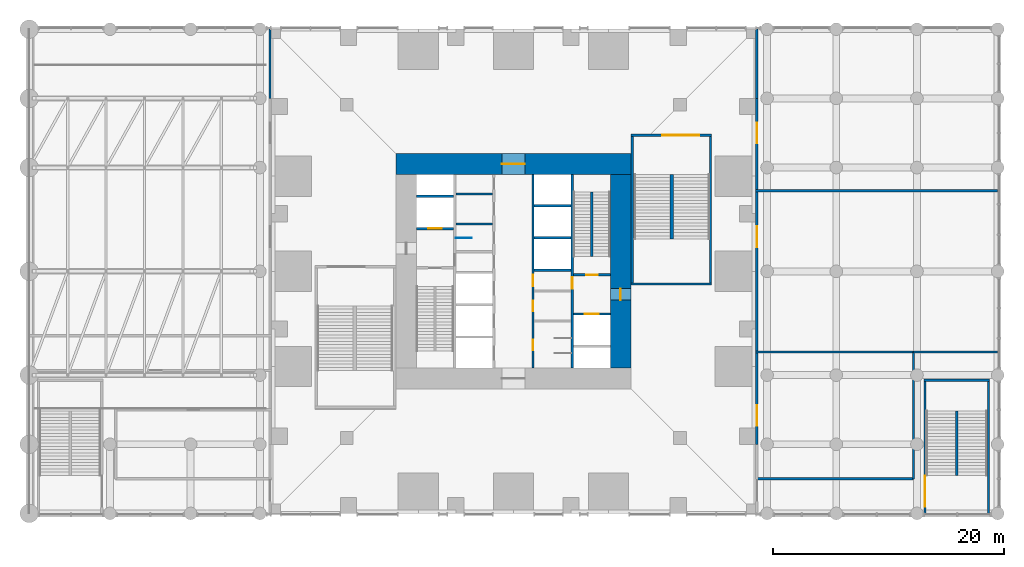
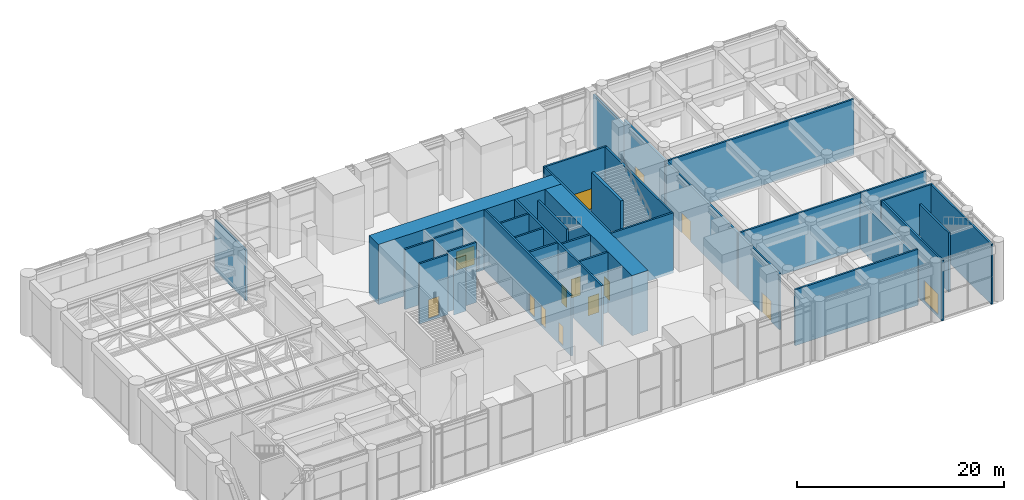
# One storey, part 23 of 30: 32 walls, 14 doors, 14 openings.
"""IFC4 building model written with IfcOpenShell, lengths in metres."""

import ifcopenshell
import ifcopenshell.guid

model = None  # the IFC model being written
_history = None  # IfcOwnerHistory: only IFC2X3 demands one
_inside = {}  # id of a spatial element -> (the spatial element, [elements in it])
_under = {}  # id of a project, library or spatial element -> (it, [spatial elements below it])
_declared = {}  # id of a project -> (the project, [libraries it declares])
_typed = {}  # id of a type object -> (the type object, [elements of that type])
_made_of = {}  # id of a material, layer set ... -> (it, [elements and type objects made of it])


def new_model(schema):
    """Start an empty IFC model of exactly this schema.

    Asked for "IFC4X3", IfcOpenShell would pick the latest addendum, in which some entities
    have other attributes; the version numbers below select the first issue.
    IFC2X3 requires an IfcOwnerHistory on every rooted entity: one is made here for all.
    """
    global model, _history
    if schema == "IFC4X3":
        model = ifcopenshell.file(schema_version=(4, 3, 0, 0))
    else:
        model = ifcopenshell.file(schema=schema)
    _inside.clear()
    _under.clear()
    _declared.clear()
    _typed.clear()
    _made_of.clear()
    _history = None
    if model.schema == "IFC2X3":
        org = make("IfcOrganization", Name="unknown")
        user = make(
            "IfcPersonAndOrganization",
            ThePerson=make("IfcPerson", FamilyName="unknown"),
            TheOrganization=org,
        )
        app = make(
            "IfcApplication",
            ApplicationDeveloper=org,
            Version="unknown",
            ApplicationFullName="unknown",
            ApplicationIdentifier="unknown",
        )
        _history = make(
            "IfcOwnerHistory",
            OwningUser=user,
            OwningApplication=app,
            ChangeAction="ADDED",
            CreationDate=0,
        )
    return model


def make(cls, **values):
    """One entity of the class cls with the attributes given. An attribute that is None is left unset."""
    return model.create_entity(
        cls, **{name: value for name, value in values.items() if value is not None}
    )


def rooted(cls, **values):
    """An entity with a GlobalId (a new one), such as an element, a storey or a relation."""
    return make(cls, GlobalId=ifcopenshell.guid.new(), OwnerHistory=_history, **values)


def si_unit(unit_type, name, prefix=None):
    """IfcSIUnit, for example si_unit("LENGTHUNIT", "METRE", prefix="MILLI")."""
    return make("IfcSIUnit", UnitType=unit_type, Prefix=prefix, Name=name)


def assignment(units):
    """IfcUnitAssignment: the units of a project."""
    return None if units is None else make("IfcUnitAssignment", Units=units)


def point(xyz):
    """IfcCartesianPoint."""
    return None if xyz is None else make("IfcCartesianPoint", Coordinates=xyz)


def direction(xyz):
    """IfcDirection."""
    return None if xyz is None else make("IfcDirection", DirectionRatios=xyz)


def frame(location, z_axis=None, x_axis=None):
    """IfcAxis2Placement3D, a coordinate frame: its origin and axes. An axis left out is left unset."""
    return make(
        "IfcAxis2Placement3D",
        Location=point(location),
        Axis=direction(z_axis),
        RefDirection=direction(x_axis),
    )


def frame_2d(location, x_axis=None):
    """IfcAxis2Placement2D, a coordinate frame in the plane: its origin and x axis."""
    return make(
        "IfcAxis2Placement2D", Location=point(location), RefDirection=direction(x_axis)
    )


def origin():
    """The frame at (0, 0, 0) with its axes left unset."""
    return frame((0.0, 0.0, 0.0))


def place(relative_to, where):
    """IfcLocalPlacement: puts the frame where relative to a parent placement (None: the world)."""
    return make(
        "IfcLocalPlacement", PlacementRelTo=relative_to, RelativePlacement=where
    )


def context(
    kind, dimensions, precision=None, world=None, true_north=None, identifier=None
):
    """IfcGeometricRepresentationContext, for example the 3D "Model" context."""
    return make(
        "IfcGeometricRepresentationContext",
        ContextIdentifier=identifier,
        ContextType=kind,
        CoordinateSpaceDimension=dimensions,
        Precision=precision,
        WorldCoordinateSystem=world,
        TrueNorth=true_north,
    )


def subcontext(parent, identifier, kind, view, scale=None):
    """IfcGeometricRepresentationSubContext, for example "Body" below "Model"."""
    return make(
        "IfcGeometricRepresentationSubContext",
        ContextIdentifier=identifier,
        ContextType=kind,
        ParentContext=parent,
        TargetScale=scale,
        TargetView=view,
    )


def project(units=None, contexts=None):
    """IfcProject with its units and contexts."""
    return rooted(
        "IfcProject",
        Name="project",
        RepresentationContexts=contexts,
        UnitsInContext=assignment(units),
    )


def spatial(cls, under=None, at=None, **own):
    """A site, building, storey or space (cls), placed at a placement, below another one or the project."""
    s = rooted(cls, ObjectPlacement=at, **own)
    if under is not None:
        _under.setdefault(under.id(), (under, []))[1].append(s)
    return s


def profile(cls, at=None, kind="AREA", **sizes):
    """A parametric profile (cls). Its sizes go by their IFC names, for example OverallWidth=200.0."""
    return make(cls, ProfileType=kind, Position=at, **sizes)


def rectangle(**sizes):
    """IfcRectangleProfileDef."""
    return profile("IfcRectangleProfileDef", **sizes)


def extrude(swept, where, along, depth):
    """IfcExtrudedAreaSolid: the profile swept, set in the frame where, extruded along a direction by depth."""
    return make(
        "IfcExtrudedAreaSolid",
        SweptArea=swept,
        Position=where,
        ExtrudedDirection=direction(along),
        Depth=depth,
    )


def shape(context_of_items, identifier, shape_type, items):
    """IfcShapeRepresentation: the items that make up one representation, for example the "Body"."""
    return make(
        "IfcShapeRepresentation",
        ContextOfItems=context_of_items,
        RepresentationIdentifier=identifier,
        RepresentationType=shape_type,
        Items=items,
    )


def material(Name=None, Category=None):
    """IfcMaterial."""
    return make("IfcMaterial", Name=Name, Category=Category)


def layer(
    of_material, thickness, ventilated=None, Name=None, Category=None, Priority=None
):
    """IfcMaterialLayer: one layer of a wall or slab, of a material (None: an air gap)."""
    return make(
        "IfcMaterialLayer",
        Material=of_material,
        LayerThickness=thickness,
        IsVentilated=ventilated,
        Name=Name,
        Category=Category,
        Priority=Priority,
    )


def layer_set(layers, Name=None):
    """IfcMaterialLayerSet."""
    return make("IfcMaterialLayerSet", MaterialLayers=layers, LayerSetName=Name)


def made_of(thing, what):
    """Note that an element or type object is made of a material, layer set ...; save() writes the relation."""
    if what is not None:
        _made_of.setdefault(what.id(), (what, []))[1].append(thing)
    return thing


def type_object(cls, material=None, **own):
    """A type object (cls), such as IfcWallType, which elements share."""
    return made_of(rooted(cls, **own), material)


def element(
    cls,
    number,
    at=None,
    inside=None,
    cuts=None,
    type_object=None,
    material=None,
    context=None,
    identifier="Body",
    shape_type=None,
    held_by="IfcProductDefinitionShape",
    body=None,
    shapes=None,
    **own,
):
    """One element of the class cls, such as IfcWall. Its Tag is "e" and its number.

    at: its placement. inside: the storey or other place that contains it. cuts: it is an
    opening in that element (IfcRelVoidsElement). A single representation is given by context,
    identifier, shape_type and body (its items); several are given by shapes. held_by: the class
    of the entity that holds the representations. save() writes the other relations.
    """
    e = rooted(cls, Tag="e%d" % number, ObjectPlacement=at, **own)
    if body is not None:
        shapes = [shape(context, identifier, shape_type, body)]
    if shapes is not None:
        e.Representation = make(held_by, Representations=shapes)
    if inside is not None:
        _inside.setdefault(inside.id(), (inside, []))[1].append(e)
    if cuts is not None:
        rooted(
            "IfcRelVoidsElement", RelatingBuildingElement=cuts, RelatedOpeningElement=e
        )
    if type_object is not None:
        _typed.setdefault(type_object.id(), (type_object, []))[1].append(e)
    return made_of(e, material)


def fill(opening, filler):
    """IfcRelFillsElement: the door or window that sits in an opening."""
    return rooted(
        "IfcRelFillsElement",
        RelatingOpeningElement=opening,
        RelatedBuildingElement=filler,
    )


def aggregate(whole, parts):
    """IfcRelAggregates: a whole, such as a stair, and the parts it consists of."""
    return rooted("IfcRelAggregates", RelatingObject=whole, RelatedObjects=parts)


def save(model, path):
    """Write the relations noted so far, then the file.

    IfcRelAggregates (storeys below a building ...), IfcRelContainedInSpatialStructure (elements
    in a storey), IfcRelDefinesByType, IfcRelAssociatesMaterial and IfcRelDeclares: one each for
    every whole, place, type object, material and project.
    """
    for whole, parts in _under.values():
        aggregate(whole, parts)
    for where, things in _inside.values():
        rooted(
            "IfcRelContainedInSpatialStructure",
            RelatedElements=things,
            RelatingStructure=where,
        )
    for kind, things in _typed.values():
        rooted("IfcRelDefinesByType", RelatedObjects=things, RelatingType=kind)
    for what, things in _made_of.values():
        rooted("IfcRelAssociatesMaterial", RelatedObjects=things, RelatingMaterial=what)
    for by, libraries in _declared.values():
        rooted("IfcRelDeclares", RelatingContext=by, RelatedDefinitions=libraries)
    model.write(path)


model = new_model("IFC4")

# Units and contexts
model_context = context("Model", 3, precision=1e-05, world=origin(), true_north=direction((0.0, 1.0)))
body_context = subcontext(model_context, "Body", "Model", "MODEL_VIEW")
ifc_project = project(units=[si_unit("LENGTHUNIT", "METRE"), si_unit("AREAUNIT", "SQUARE_METRE"), si_unit("VOLUMEUNIT", "CUBIC_METRE"), si_unit("PLANEANGLEUNIT", "RADIAN"), si_unit("MASSUNIT", "GRAM", prefix="KILO")], contexts=[model_context])

# Site, building, storey
site_placement = place(None, origin())
site = spatial("IfcSite", under=ifc_project, at=site_placement, CompositionType="ELEMENT")
building_placement = place(site_placement, origin())
building = spatial("IfcBuilding", under=site, at=building_placement, Name="Svetlomir Tower", CompositionType="ELEMENT")
storey_placement = place(building_placement, frame((0.0, 0.0, 11.0)))
storey = spatial("IfcBuildingStorey", under=building, at=storey_placement, Name="L02", CompositionType="ELEMENT", Elevation=11.0)

# Walls
ifc_material_1 = material(Name="Gypsum board on twin steel studs", Category="steel")
ifc_layer_1 = layer(ifc_material_1, 0.199951171875)
ifc_layer_set_1 = layer_set([ifc_layer_1], Name="Gypsum board on twin steel studs")
wall_type_1 = type_object("IfcWallType", Name="ACOUSTIC PARTITION 200", PredefinedType="PARTITIONING", material=ifc_layer_set_1)
for number, where, z_axis, x_axis, name in (
    (1, (42.0, 3.0, 0.0), (0.0, 0.0, 1.0), (1.0, 0.0, 0.0), "Partition L02"),
    (2, (42.0, 14.0, 0.0), (0.0, 0.0, 1.0), (1.0, 0.0, 0.0), "Partition L02"),
):
    element("IfcWall", number, at=place(storey_placement, frame(where, z_axis=z_axis, x_axis=x_axis)), inside=storey, type_object=wall_type_1, Name=name, PredefinedType="PARTITIONING", context=body_context, shape_type="SweptSolid", body=[
        extrude(rectangle(XDim=13.699951171875, YDim=0.199951171875, at=frame_2d((6.85009765625, 0.0))), origin(), (0.0, 0.0, 1.0), 6.60009765625),
    ])
wall_1_placement = place(storey_placement, frame((42.0, 28.0, 0.0), z_axis=(0.0, 0.0, 1.0), x_axis=(1.0, 0.0, 0.0)))
element("IfcWall", 3, at=wall_1_placement, inside=storey, type_object=wall_type_1, Name="Partition L02", PredefinedType="PARTITIONING", context=body_context, shape_type="SweptSolid", body=[
    extrude(rectangle(XDim=21.0, YDim=0.199951171875, at=frame_2d((10.5, 0.0))), origin(), (0.0, 0.0, 1.0), 6.60009765625),
])
wall_2_placement = place(storey_placement, frame((55.699951171875, 3.0, 0.0), z_axis=(0.0, 0.0, 1.0), x_axis=(0.0, 1.0, 0.0)))
element("IfcWall", 4, at=wall_2_placement, inside=storey, type_object=wall_type_1, Name="Partition L02", PredefinedType="PARTITIONING", context=body_context, shape_type="SweptSolid", body=[
    extrude(rectangle(XDim=11.0, YDim=0.199951171875, at=frame_2d((5.5, 0.0))), origin(), (0.0, 0.0, 1.0), 5.60009765625),
])
wall_3_placement = place(storey_placement, frame((55.699951171875, 14.0, 0.0), z_axis=(0.0, 0.0, 1.0), x_axis=(1.0, 0.0, 0.0)))
element("IfcWall", 5, at=wall_3_placement, inside=storey, type_object=wall_type_1, Name="Partition L02", PredefinedType="PARTITIONING", context=body_context, shape_type="SweptSolid", body=[
    extrude(rectangle(XDim=7.300048828125, YDim=0.199951171875, at=frame_2d((3.64990234375, 0.0))), origin(), (0.0, 0.0, 1.0), 6.60009765625),
])

# Wall, openings, doors
ifc_material_2 = material(Name="Concrete C60/75", Category="concrete")
ifc_layer_2 = layer(ifc_material_2, 0.199951171875)
ifc_layer_set_2 = layer_set([ifc_layer_2], Name="Concrete C60/75")
wall_type_2 = type_object("IfcWallType", Name="CORE INNER WALL 200", PredefinedType="SHEAR", material=ifc_layer_set_2)
wall_4_placement = place(storey_placement, frame((22.699951171875, 12.60009765625, -0.300048828125), z_axis=(0.0, 0.0, 1.0), x_axis=(0.0, 1.0, 0.0)))
wall_4 = element("IfcWall", 6, at=wall_4_placement, inside=storey, type_object=wall_type_2, Name="Core inner wall 22.7 L02", PredefinedType="SHEAR", context=body_context, shape_type="SweptSolid", body=[
    extrude(rectangle(XDim=16.7998046875, YDim=0.199951171875, at=frame_2d((8.39990234375, 0.0))), origin(), (0.0, 0.0, 1.0), 7.10009765625),
])
opening_1_placement = place(wall_4_placement, frame((7.10009765625, 0.0, 0.300048828125)))
opening_1 = element("IfcOpeningElement", 7, at=opening_1_placement, cuts=wall_4, Name="Opening DC", PredefinedType="OPENING", context=body_context, shape_type="SweptSolid", body=[
    extrude(rectangle(XDim=1.0, YDim=2.199951171875, at=frame_2d((0.5, 1.10009765625))), frame((0.0, 0.10986328125, 0.0), z_axis=(0.0, -1.0, 0.0), x_axis=(1.0, 0.0, 0.0)), (0.0, 0.0, 1.0), 0.219970703125),
])
opening_2_placement = place(wall_4_placement, frame((1.550048828125, 0.0, 0.300048828125)))
opening_2 = element("IfcOpeningElement", 8, at=opening_2_placement, cuts=wall_4, Name="Opening DW", PredefinedType="OPENING", context=body_context, shape_type="SweptSolid", body=[
    extrude(rectangle(XDim=0.89990234375, YDim=2.199951171875, at=frame_2d((0.449951171875, 1.10009765625))), frame((0.0, 0.10986328125, 0.0), z_axis=(0.0, -1.0, 0.0), x_axis=(1.0, 0.0, 0.0)), (0.0, 0.0, 1.0), 0.219970703125),
])
opening_3_placement = place(wall_4_placement, frame((4.949951171875, 0.0, 0.300048828125)))
opening_3 = element("IfcOpeningElement", 9, at=opening_3_placement, cuts=wall_4, Name="Opening DW", PredefinedType="OPENING", context=body_context, shape_type="SweptSolid", body=[
    extrude(rectangle(XDim=0.89990234375, YDim=2.199951171875, at=frame_2d((0.449951171875, 1.10009765625))), frame((0.0, 0.10986328125, 0.0), z_axis=(0.0, -1.0, 0.0), x_axis=(1.0, 0.0, 0.0)), (0.0, 0.0, 1.0), 0.219970703125),
])
ifc_material_3 = material(Name="Timber fire door", Category="wood")
door_type_1 = type_object("IfcDoorType", Name="DOOR DC 1000x2200", OperationType="SINGLE_SWING_LEFT", PredefinedType="DOOR", material=ifc_material_3)
door_1_placement = place(opening_1_placement, origin())
door_1 = element("IfcDoor", 10, at=door_1_placement, inside=storey, type_object=door_type_1, Name="Core corridor east lobby door L02", OperationType="SINGLE_SWING_RIGHT", OverallHeight=2.199951171875, OverallWidth=1.0, PredefinedType="DOOR", context=body_context, shape_type="SweptSolid", body=[
    extrude(rectangle(XDim=1.0, YDim=2.199951171875, at=frame_2d((0.5, 1.10009765625))), frame((0.0, 0.02490234375, 0.0), z_axis=(0.0, -1.0, 0.0), x_axis=(1.0, 0.0, 0.0)), (0.0, 0.0, 1.0), 0.050048828125),
])
fill(opening_1, door_1)
ifc_material_4 = material(Name="Timber fire door", Category="wood")
door_type_2 = type_object("IfcDoorType", Name="DOOR DW 900x2200", OperationType="SINGLE_SWING_LEFT", PredefinedType="DOOR", material=ifc_material_4)
door_2_placement = place(opening_2_placement, origin())
door_2 = element("IfcDoor", 11, at=door_2_placement, inside=storey, type_object=door_type_2, Name="Male WC door L02", OperationType="SINGLE_SWING_RIGHT", OverallHeight=2.199951171875, OverallWidth=0.89990234375, PredefinedType="DOOR", context=body_context, shape_type="SweptSolid", body=[
    extrude(rectangle(XDim=0.89990234375, YDim=2.199951171875, at=frame_2d((0.449951171875, 1.10009765625))), frame((0.0, 0.02490234375, 0.0), z_axis=(0.0, -1.0, 0.0), x_axis=(1.0, 0.0, 0.0)), (0.0, 0.0, 1.0), 0.050048828125),
])
fill(opening_2, door_2)
door_3_placement = place(opening_3_placement, origin())
door_3 = element("IfcDoor", 12, at=door_3_placement, inside=storey, type_object=door_type_2, Name="Comms room door L02", OperationType="SINGLE_SWING_LEFT", OverallHeight=2.199951171875, OverallWidth=0.89990234375, PredefinedType="DOOR", context=body_context, shape_type="SweptSolid", body=[
    extrude(rectangle(XDim=0.89990234375, YDim=2.199951171875, at=frame_2d((0.449951171875, 1.10009765625))), frame((0.0, 0.02490234375, 0.0), z_axis=(0.0, -1.0, 0.0), x_axis=(1.0, 0.0, 0.0)), (0.0, 0.0, 1.0), 0.050048828125),
])
fill(opening_3, door_3)

# Wall, opening, door
wall_5_placement = place(storey_placement, frame((26.10009765625, 12.60009765625, -0.300048828125), z_axis=(0.0, 0.0, 1.0), x_axis=(0.0, 1.0, 0.0)))
wall_5 = element("IfcWall", 13, at=wall_5_placement, inside=storey, type_object=wall_type_2, Name="Core inner wall 26.1 L02", PredefinedType="SHEAR", context=body_context, shape_type="SweptSolid", body=[
    extrude(rectangle(XDim=16.7998046875, YDim=0.199951171875, at=frame_2d((8.39990234375, 0.0))), origin(), (0.0, 0.0, 1.0), 7.10009765625),
])
opening_4_placement = place(wall_5_placement, frame((6.89990234375, 0.0, 0.300048828125)))
opening_4 = element("IfcOpeningElement", 14, at=opening_4_placement, cuts=wall_5, Name="Opening DF", PredefinedType="OPENING", context=body_context, shape_type="SweptSolid", body=[
    extrude(rectangle(XDim=1.0, YDim=2.199951171875, at=frame_2d((0.5, 1.10009765625))), frame((0.0, 0.10986328125, 0.0), z_axis=(0.0, -1.0, 0.0), x_axis=(1.0, 0.0, 0.0)), (0.0, 0.0, 1.0), 0.219970703125),
])
ifc_material_5 = material(Name="Steel fire door", Category="steel")
door_type_3 = type_object("IfcDoorType", Name="DOOR DF 1000x2200", OperationType="SINGLE_SWING_LEFT", PredefinedType="DOOR", material=ifc_material_5)
door_4_placement = place(opening_4_placement, origin())
door_4 = element("IfcDoor", 15, at=door_4_placement, inside=storey, type_object=door_type_3, Name="Core corridor east door L02", OperationType="SINGLE_SWING_LEFT", OverallHeight=2.199951171875, OverallWidth=1.0, PredefinedType="DOOR", context=body_context, shape_type="SweptSolid", body=[
    extrude(rectangle(XDim=1.0, YDim=2.199951171875, at=frame_2d((0.5, 1.10009765625))), frame((0.0, 0.02490234375, 0.0), z_axis=(0.0, -1.0, 0.0), x_axis=(1.0, 0.0, 0.0)), (0.0, 0.0, 1.0), 0.050048828125),
])
fill(opening_4, door_4)

wall_6_placement = place(storey_placement, frame((12.60009765625, 24.699951171875, -0.300048828125), z_axis=(0.0, 0.0, 1.0), x_axis=(1.0, 0.0, 0.0)))
wall_6 = element("IfcWall", 16, at=wall_6_placement, inside=storey, type_object=wall_type_2, Name="Core inner wall 12.6-15.8/24.7 L02", PredefinedType="SHEAR", context=body_context, shape_type="SweptSolid", body=[
    extrude(rectangle(XDim=3.199951171875, YDim=0.199951171875, at=frame_2d((1.60009765625, 0.0))), origin(), (0.0, 0.0, 1.0), 7.10009765625),
])
opening_5_placement = place(wall_6_placement, frame((1.0, 0.0, 0.300048828125)))
opening_5 = element("IfcOpeningElement", 17, at=opening_5_placement, cuts=wall_6, Name="Opening LD3", PredefinedType="OPENING", context=body_context, shape_type="SweptSolid", body=[
    extrude(rectangle(XDim=1.199951171875, YDim=2.199951171875, at=frame_2d((0.60009765625, 1.10009765625))), frame((0.0, 0.10986328125, 0.0), z_axis=(0.0, -1.0, 0.0), x_axis=(1.0, 0.0, 0.0)), (0.0, 0.0, 1.0), 0.219970703125),
])
ifc_material_6 = material(Name="Stainless steel fire-rated landing door", Category="steel")
door_type_4 = type_object("IfcDoorType", Name="FIREFIGHTING LIFT LANDING DOOR LD3 1200x2200", OperationType="DOUBLE_DOOR_SLIDING", PredefinedType="DOOR", material=ifc_material_6)
door_5_placement = place(opening_5_placement, origin())
door_5 = element("IfcDoor", 18, at=door_5_placement, inside=storey, type_object=door_type_4, Name="Landing door lift FL1 L02", OperationType="DOUBLE_DOOR_SLIDING", OverallHeight=2.199951171875, OverallWidth=1.199951171875, PredefinedType="DOOR", context=body_context, shape_type="SweptSolid", body=[
    extrude(rectangle(XDim=1.199951171875, YDim=2.199951171875, at=frame_2d((0.60009765625, 1.10009765625))), frame((0.0, 0.02490234375, 0.0), z_axis=(0.0, -1.0, 0.0), x_axis=(1.0, 0.0, 0.0)), (0.0, 0.0, 1.0), 0.050048828125),
])
fill(opening_5, door_5)

# Walls
for number, where, z_axis, x_axis, name in (
    (19, (12.60009765625, 27.5, -0.300048828125), (0.0, 0.0, 1.0), (1.0, 0.0, 0.0), "Core inner wall 12.6-15.8/27.5 L02"),
    (20, (16.0, 25.10009765625, -0.300048828125), (0.0, 0.0, 1.0), (1.0, 0.0, 0.0), "Core inner wall 16-19.2/25.1 L02"),
    (21, (16.0, 27.699951171875, -0.300048828125), (0.0, 0.0, 1.0), (1.0, 0.0, 0.0), "Core inner wall 16-19.2/27.7 L02"),
    (22, (22.800048828125, 21.10009765625, -0.300048828125), (0.0, 0.0, 1.0), (1.0, 0.0, 0.0), "Core inner wall 22.8-26/21.1 L02"),
    (23, (22.800048828125, 23.89990234375, -0.300048828125), (0.0, 0.0, 1.0), (1.0, 0.0, 0.0), "Core inner wall 22.8-26/23.9 L02"),
    (24, (22.800048828125, 26.699951171875, -0.300048828125), (0.0, 0.0, 1.0), (1.0, 0.0, 0.0), "Core inner wall 22.8-26/26.7 L02"),
):
    element("IfcWall", number, at=place(storey_placement, frame(where, z_axis=z_axis, x_axis=x_axis)), inside=storey, type_object=wall_type_2, Name=name, PredefinedType="SHEAR", context=body_context, shape_type="SweptSolid", body=[
        extrude(rectangle(XDim=3.199951171875, YDim=0.199951171875, at=frame_2d((1.60009765625, 0.0))), origin(), (0.0, 0.0, 1.0), 7.10009765625),
    ])

# Wall, opening, door
wall_7_placement = place(storey_placement, frame((26.199951171875, 17.300048828125, -0.300048828125), z_axis=(0.0, 0.0, 1.0), x_axis=(1.0, 0.0, 0.0)))
wall_7 = element("IfcWall", 25, at=wall_7_placement, inside=storey, type_object=wall_type_2, Name="Core inner wall 26.2-29.4/17.3 L02", PredefinedType="SHEAR", context=body_context, shape_type="SweptSolid", body=[
    extrude(rectangle(XDim=3.199951171875, YDim=0.199951171875, at=frame_2d((1.60009765625, 0.0))), origin(), (0.0, 0.0, 1.0), 7.10009765625),
])
opening_6_placement = place(wall_7_placement, frame((1.0, 0.0, 0.300048828125)))
opening_6 = element("IfcOpeningElement", 26, at=opening_6_placement, cuts=wall_7, Name="Opening LD3", PredefinedType="OPENING", context=body_context, shape_type="SweptSolid", body=[
    extrude(rectangle(XDim=1.199951171875, YDim=2.199951171875, at=frame_2d((0.60009765625, 1.10009765625))), frame((0.0, 0.10986328125, 0.0), z_axis=(0.0, -1.0, 0.0), x_axis=(1.0, 0.0, 0.0)), (0.0, 0.0, 1.0), 0.219970703125),
])
door_6_placement = place(opening_6_placement, origin())
door_6 = element("IfcDoor", 27, at=door_6_placement, inside=storey, type_object=door_type_4, Name="Landing door lift FL2 L02", OperationType="DOUBLE_DOOR_SLIDING", OverallHeight=2.199951171875, OverallWidth=1.199951171875, PredefinedType="DOOR", context=body_context, shape_type="SweptSolid", body=[
    extrude(rectangle(XDim=1.199951171875, YDim=2.199951171875, at=frame_2d((0.60009765625, 1.10009765625))), frame((0.0, 0.02490234375, 0.0), z_axis=(0.0, -1.0, 0.0), x_axis=(1.0, 0.0, 0.0)), (0.0, 0.0, 1.0), 0.050048828125),
])
fill(opening_6, door_6)

wall_8_placement = place(storey_placement, frame((26.199951171875, 20.699951171875, -0.300048828125), z_axis=(0.0, 0.0, 1.0), x_axis=(1.0, 0.0, 0.0)))
wall_8 = element("IfcWall", 28, at=wall_8_placement, inside=storey, type_object=wall_type_2, Name="Core inner wall 26.2-29.4/20.7 L02", PredefinedType="SHEAR", context=body_context, shape_type="SweptSolid", body=[
    extrude(rectangle(XDim=3.199951171875, YDim=0.199951171875, at=frame_2d((1.60009765625, 0.0))), origin(), (0.0, 0.0, 1.0), 7.10009765625),
])
opening_7_placement = place(wall_8_placement, frame((1.10009765625, 0.0, 0.300048828125)))
opening_7 = element("IfcOpeningElement", 29, at=opening_7_placement, cuts=wall_8, Name="Opening DF", PredefinedType="OPENING", context=body_context, shape_type="SweptSolid", body=[
    extrude(rectangle(XDim=1.0, YDim=2.199951171875, at=frame_2d((0.5, 1.10009765625))), frame((0.0, 0.10986328125, 0.0), z_axis=(0.0, -1.0, 0.0), x_axis=(1.0, 0.0, 0.0)), (0.0, 0.0, 1.0), 0.219970703125),
])
door_7_placement = place(opening_7_placement, origin())
door_7 = element("IfcDoor", 30, at=door_7_placement, inside=storey, type_object=door_type_3, Name="Stair S2 door L02", OperationType="SINGLE_SWING_RIGHT", OverallHeight=2.199951171875, OverallWidth=1.0, PredefinedType="DOOR", context=body_context, shape_type="SweptSolid", body=[
    extrude(rectangle(XDim=1.0, YDim=2.199951171875, at=frame_2d((0.5, 1.10009765625))), frame((0.0, 0.02490234375, 0.0), z_axis=(0.0, -1.0, 0.0), x_axis=(1.0, 0.0, 0.0)), (0.0, 0.0, 1.0), 0.050048828125),
])
fill(opening_7, door_7)

ifc_material_7 = material(Name="Concrete C60/75", Category="concrete")
ifc_layer_3 = layer(ifc_material_7, 1.800048828125)
ifc_layer_set_3 = layer_set([ifc_layer_3], Name="Concrete C60/75")
wall_type_3 = type_object("IfcWallType", Name="CORE WALL 1800", PredefinedType="SHEAR", material=ifc_layer_set_3)
wall_9_placement = place(storey_placement, frame((10.800048828125, 30.300048828125, -0.300048828125), z_axis=(0.0, 0.0, 1.0), x_axis=(1.0, 0.0, 0.0)))
wall_9 = element("IfcWall", 31, at=wall_9_placement, inside=storey, type_object=wall_type_3, Name="Core wall north L02", PredefinedType="SHEAR", context=body_context, shape_type="SweptSolid", body=[
    extrude(rectangle(XDim=20.39990234375, YDim=1.800048828125, at=frame_2d((10.199951171875, 0.0))), origin(), (0.0, 0.0, 1.0), 7.10009765625),
])
opening_8_placement = place(wall_9_placement, frame((9.199951171875, 0.0, 0.300048828125)))
opening_8 = element("IfcOpeningElement", 32, at=opening_8_placement, cuts=wall_9, Name="Opening DL", PredefinedType="OPENING", context=body_context, shape_type="SweptSolid", body=[
    extrude(rectangle(XDim=2.0, YDim=2.199951171875, at=frame_2d((1.0, 1.10009765625))), frame((0.0, 0.91015625, 0.0), z_axis=(0.0, -1.0, 0.0), x_axis=(1.0, 0.0, 0.0)), (0.0, 0.0, 1.0), 1.820068359375),
])
ifc_material_8 = material(Name="Steel fire door", Category="steel")
door_type_5 = type_object("IfcDoorType", Name="DOOR DL 2000x2200", OperationType="DOUBLE_DOOR_SINGLE_SWING", PredefinedType="DOOR", material=ifc_material_8)
door_8_placement = place(opening_8_placement, origin())
door_8 = element("IfcDoor", 33, at=door_8_placement, inside=storey, type_object=door_type_5, Name="Lift lobby north door L02", OperationType="DOUBLE_DOOR_SINGLE_SWING", OverallHeight=2.199951171875, OverallWidth=2.0, PredefinedType="DOOR", context=body_context, shape_type="SweptSolid", body=[
    extrude(rectangle(XDim=2.0, YDim=2.199951171875, at=frame_2d((1.0, 1.10009765625))), frame((0.0, 0.02490234375, 0.0), z_axis=(0.0, -1.0, 0.0), x_axis=(1.0, 0.0, 0.0)), (0.0, 0.0, 1.0), 0.050048828125),
])
fill(opening_8, door_8)

wall_10_placement = place(storey_placement, frame((30.300048828125, 12.60009765625, -0.300048828125), z_axis=(0.0, 0.0, 1.0), x_axis=(0.0, 1.0, 0.0)))
wall_10 = element("IfcWall", 34, at=wall_10_placement, inside=storey, type_object=wall_type_3, Name="Core wall east L02", PredefinedType="SHEAR", context=body_context, shape_type="SweptSolid", body=[
    extrude(rectangle(XDim=16.7998046875, YDim=1.800048828125, at=frame_2d((8.39990234375, 0.0))), origin(), (0.0, 0.0, 1.0), 7.10009765625),
])
opening_9_placement = place(wall_10_placement, frame((5.89990234375, 0.0, 0.300048828125)))
opening_9 = element("IfcOpeningElement", 35, at=opening_9_placement, cuts=wall_10, Name="Opening DF", PredefinedType="OPENING", context=body_context, shape_type="SweptSolid", body=[
    extrude(rectangle(XDim=1.0, YDim=2.199951171875, at=frame_2d((0.5, 1.10009765625))), frame((0.0, 0.91015625, 0.0), z_axis=(0.0, -1.0, 0.0), x_axis=(1.0, 0.0, 0.0)), (0.0, 0.0, 1.0), 1.820068359375),
])
door_9_placement = place(opening_9_placement, origin())
door_9 = element("IfcDoor", 36, at=door_9_placement, inside=storey, type_object=door_type_3, Name="Firefighting lobby east door L02", OperationType="SINGLE_SWING_RIGHT", OverallHeight=2.199951171875, OverallWidth=1.0, PredefinedType="DOOR", context=body_context, shape_type="SweptSolid", body=[
    extrude(rectangle(XDim=1.0, YDim=2.199951171875, at=frame_2d((0.5, 1.10009765625))), frame((0.0, 0.02490234375, 0.0), z_axis=(0.0, -1.0, 0.0), x_axis=(1.0, 0.0, 0.0)), (0.0, 0.0, 1.0), 0.050048828125),
])
fill(opening_9, door_9)

# Wall
ifc_material_9 = material(Name="Reinforced blockwork fire wall", Category="masonry")
ifc_layer_4 = layer(ifc_material_9, 0.199951171875)
ifc_layer_set_4 = layer_set([ifc_layer_4], Name="Reinforced blockwork fire wall")
wall_type_4 = type_object("IfcWallType", Name="FIRE WALL 200", PredefinedType="PARTITIONING", material=ifc_layer_set_4)
wall_11_placement = place(storey_placement, frame((-0.110107421875, 36.0, 0.0), z_axis=(0.0, 0.0, 1.0), x_axis=(0.0, 1.0, 0.0)))
element("IfcWall", 37, at=wall_11_placement, inside=storey, type_object=wall_type_4, Name="Fire wall L02", PredefinedType="PARTITIONING", context=body_context, shape_type="SweptSolid", body=[
    extrude(rectangle(XDim=6.0, YDim=0.199951171875, at=frame_2d((3.0, 0.0))), origin(), (0.0, 0.0, 1.0), 5.97998046875),
])

# Wall, openings, doors
wall_12_placement = place(storey_placement, frame((42.110107421875, 6.0, 0.0), z_axis=(0.0, 0.0, 1.0), x_axis=(0.0, 1.0, 0.0)))
wall_12 = element("IfcWall", 38, at=wall_12_placement, inside=storey, type_object=wall_type_4, Name="Fire wall L02", PredefinedType="PARTITIONING", context=body_context, shape_type="SweptSolid", body=[
    extrude(rectangle(XDim=30.0, YDim=0.199951171875, at=frame_2d((15.0, 0.0))), origin(), (0.0, 0.0, 1.0), 6.60009765625),
])
opening_10_placement = place(wall_12_placement, frame((1.60009765625, 0.0, 0.0)))
opening_10 = element("IfcOpeningElement", 39, at=opening_10_placement, cuts=wall_12, Name="Opening FD120", PredefinedType="OPENING", context=body_context, shape_type="SweptSolid", body=[
    extrude(rectangle(XDim=1.800048828125, YDim=2.39990234375, at=frame_2d((0.89990234375, 1.199951171875))), frame((0.0, 0.10986328125, 0.0), z_axis=(0.0, -1.0, 0.0), x_axis=(1.0, 0.0, 0.0)), (0.0, 0.0, 1.0), 0.219970703125),
])
opening_11_placement = place(wall_12_placement, frame((17.10009765625, 0.0, 0.0)))
opening_11 = element("IfcOpeningElement", 40, at=opening_11_placement, cuts=wall_12, Name="Opening FD120", PredefinedType="OPENING", context=body_context, shape_type="SweptSolid", body=[
    extrude(rectangle(XDim=1.800048828125, YDim=2.39990234375, at=frame_2d((0.89990234375, 1.199951171875))), frame((0.0, 0.10986328125, 0.0), z_axis=(0.0, -1.0, 0.0), x_axis=(1.0, 0.0, 0.0)), (0.0, 0.0, 1.0), 0.219970703125),
])
opening_12_placement = place(wall_12_placement, frame((26.10009765625, 0.0, 0.0)))
opening_12 = element("IfcOpeningElement", 41, at=opening_12_placement, cuts=wall_12, Name="Opening FD120", PredefinedType="OPENING", context=body_context, shape_type="SweptSolid", body=[
    extrude(rectangle(XDim=1.800048828125, YDim=2.39990234375, at=frame_2d((0.89990234375, 1.199951171875))), frame((0.0, 0.10986328125, 0.0), z_axis=(0.0, -1.0, 0.0), x_axis=(1.0, 0.0, 0.0)), (0.0, 0.0, 1.0), 0.219970703125),
])
ifc_material_10 = material(Name="Self-closing steel fire door", Category="steel")
door_type_6 = type_object("IfcDoorType", Name="FIRE DOOR FD120 1800x2400", OperationType="DOUBLE_DOOR_SINGLE_SWING", PredefinedType="DOOR", material=ifc_material_10)
door_10_placement = place(opening_10_placement, origin())
door_10 = element("IfcDoor", 42, at=door_10_placement, inside=storey, type_object=door_type_6, Name="Conference room 1 fire door L02", OperationType="DOUBLE_DOOR_SINGLE_SWING", OverallHeight=2.39990234375, OverallWidth=1.800048828125, PredefinedType="DOOR", context=body_context, shape_type="SweptSolid", body=[
    extrude(rectangle(XDim=1.800048828125, YDim=2.39990234375, at=frame_2d((0.89990234375, 1.199951171875))), frame((0.0, 0.02490234375, 0.0), z_axis=(0.0, -1.0, 0.0), x_axis=(1.0, 0.0, 0.0)), (0.0, 0.0, 1.0), 0.050048828125),
])
fill(opening_10, door_10)
door_11_placement = place(opening_11_placement, origin())
door_11 = element("IfcDoor", 43, at=door_11_placement, inside=storey, type_object=door_type_6, Name="Conference room 2 fire door L02", OperationType="DOUBLE_DOOR_SINGLE_SWING", OverallHeight=2.39990234375, OverallWidth=1.800048828125, PredefinedType="DOOR", context=body_context, shape_type="SweptSolid", body=[
    extrude(rectangle(XDim=1.800048828125, YDim=2.39990234375, at=frame_2d((0.89990234375, 1.199951171875))), frame((0.0, 0.02490234375, 0.0), z_axis=(0.0, -1.0, 0.0), x_axis=(1.0, 0.0, 0.0)), (0.0, 0.0, 1.0), 0.050048828125),
])
fill(opening_11, door_11)
door_12_placement = place(opening_12_placement, origin())
door_12 = element("IfcDoor", 44, at=door_12_placement, inside=storey, type_object=door_type_6, Name="Breakout lounge fire door L02", OperationType="DOUBLE_DOOR_SINGLE_SWING", OverallHeight=2.39990234375, OverallWidth=1.800048828125, PredefinedType="DOOR", context=body_context, shape_type="SweptSolid", body=[
    extrude(rectangle(XDim=1.800048828125, YDim=2.39990234375, at=frame_2d((0.89990234375, 1.199951171875))), frame((0.0, 0.02490234375, 0.0), z_axis=(0.0, -1.0, 0.0), x_axis=(1.0, 0.0, 0.0)), (0.0, 0.0, 1.0), 0.050048828125),
])
fill(opening_12, door_12)

# Walls
wall_13_placement = place(storey_placement, frame((42.110107421875, 36.0, 0.0), z_axis=(0.0, 0.0, 1.0), x_axis=(0.0, 1.0, 0.0)))
element("IfcWall", 45, at=wall_13_placement, inside=storey, type_object=wall_type_4, Name="Fire wall L02", PredefinedType="PARTITIONING", context=body_context, shape_type="SweptSolid", body=[
    extrude(rectangle(XDim=6.0, YDim=0.199951171875, at=frame_2d((3.0, 0.0))), origin(), (0.0, 0.0, 1.0), 5.97998046875),
])
ifc_material_11 = material(Name="Concrete C60/75", Category="concrete")
ifc_layer_5 = layer(ifc_material_11, 0.199951171875)
ifc_layer_set_5 = layer_set([ifc_layer_5], Name="Concrete C60/75")
wall_type_5 = type_object("IfcWallType", Name="STAIR CORE WALL RC 200", PredefinedType="SOLIDWALL", material=ifc_layer_set_5)
wall_14_placement = place(storey_placement, frame((31.199951171875, 19.89990234375, -0.300048828125), z_axis=(0.0, 0.0, 1.0), x_axis=(1.0, 0.0, 0.0)))
element("IfcWall", 46, at=wall_14_placement, inside=storey, type_object=wall_type_5, Name="Stair P2 enclosure wall L02", PredefinedType="SOLIDWALL", context=body_context, shape_type="SweptSolid", body=[
    extrude(rectangle(XDim=7.0, YDim=0.199951171875, at=frame_2d((3.5, 0.0))), origin(), (0.0, 0.0, 1.0), 7.10009765625),
])
wall_15_placement = place(storey_placement, frame((38.10009765625, 19.800048828125, -0.300048828125), z_axis=(0.0, 0.0, 1.0), x_axis=(0.0, 1.0, 0.0)))
element("IfcWall", 47, at=wall_15_placement, inside=storey, type_object=wall_type_5, Name="Stair P2 enclosure wall L02", PredefinedType="SOLIDWALL", context=body_context, shape_type="SweptSolid", body=[
    extrude(rectangle(XDim=13.099853515625, YDim=0.199951171875, at=frame_2d((6.5498046875, 0.0))), origin(), (0.0, 0.0, 1.0), 7.10009765625),
])

# Wall, opening, door
wall_16_placement = place(storey_placement, frame((38.199951171875, 32.800048828125, -0.300048828125), z_axis=(0.0, 0.0, 1.0), x_axis=(-1.0, 0.0, 0.0)))
wall_16 = element("IfcWall", 48, at=wall_16_placement, inside=storey, type_object=wall_type_5, Name="Stair P2 enclosure wall L02", PredefinedType="SOLIDWALL", context=body_context, shape_type="SweptSolid", body=[
    extrude(rectangle(XDim=7.0, YDim=0.199951171875, at=frame_2d((3.5, 0.0))), origin(), (0.0, 0.0, 1.0), 7.10009765625),
])
opening_13_placement = place(wall_16_placement, frame((1.10009765625, 0.0, 0.300048828125)))
opening_13 = element("IfcOpeningElement", 49, at=opening_13_placement, cuts=wall_16, Name="Opening DS32", PredefinedType="OPENING", context=body_context, shape_type="SweptSolid", body=[
    extrude(rectangle(XDim=3.199951171875, YDim=2.39990234375, at=frame_2d((1.60009765625, 1.199951171875))), frame((0.0, 0.10986328125, 0.0), z_axis=(0.0, -1.0, 0.0), x_axis=(1.0, 0.0, 0.0)), (0.0, 0.0, 1.0), 0.219970703125),
])
ifc_material_12 = material(Name="Steel fire door", Category="steel")
door_type_7 = type_object("IfcDoorType", Name="STAIR DOUBLE DOOR DS 3200x2400", OperationType="DOUBLE_DOOR_SINGLE_SWING", PredefinedType="DOOR", material=ifc_material_12)
door_13_placement = place(opening_13_placement, origin())
door_13 = element("IfcDoor", 50, at=door_13_placement, inside=storey, type_object=door_type_7, Name="Stair P2 door L02", OperationType="DOUBLE_DOOR_SINGLE_SWING", OverallHeight=2.39990234375, OverallWidth=3.199951171875, PredefinedType="DOOR", context=body_context, shape_type="SweptSolid", body=[
    extrude(rectangle(XDim=3.199951171875, YDim=2.39990234375, at=frame_2d((1.60009765625, 1.199951171875))), frame((0.0, 0.02490234375, 0.0), z_axis=(0.0, -1.0, 0.0), x_axis=(1.0, 0.0, 0.0)), (0.0, 0.0, 1.0), 0.050048828125),
])
fill(opening_13, door_13)

# Walls
wall_17_placement = place(storey_placement, frame((31.300048828125, 32.89990234375, -0.300048828125), z_axis=(0.0, 0.0, 1.0), x_axis=(0.0, -1.0, 0.0)))
element("IfcWall", 51, at=wall_17_placement, inside=storey, type_object=wall_type_5, Name="Stair P2 enclosure wall L02", PredefinedType="SOLIDWALL", context=body_context, shape_type="SweptSolid", body=[
    extrude(rectangle(XDim=13.099853515625, YDim=0.199951171875, at=frame_2d((6.5498046875, 0.0))), origin(), (0.0, 0.0, 1.0), 7.10009765625),
])
wall_18_placement = place(storey_placement, frame((62.199951171875, -0.199951171875, -0.300048828125), z_axis=(0.0, 0.0, 1.0), x_axis=(0.0, 1.0, 0.0)))
element("IfcWall", 52, at=wall_18_placement, inside=storey, type_object=wall_type_5, Name="Stair P4 enclosure wall L02", PredefinedType="SOLIDWALL", context=body_context, shape_type="SweptSolid", body=[
    extrude(rectangle(XDim=11.849853515625, YDim=0.199951171875, at=frame_2d((5.9248046875, 0.0))), origin(), (0.0, 0.0, 1.0), 7.10009765625),
])
wall_19_placement = place(storey_placement, frame((62.300048828125, 11.550048828125, -0.300048828125), z_axis=(0.0, 0.0, 1.0), x_axis=(-1.0, 0.0, 0.0)))
element("IfcWall", 53, at=wall_19_placement, inside=storey, type_object=wall_type_5, Name="Stair P4 enclosure wall L02", PredefinedType="SOLIDWALL", context=body_context, shape_type="SweptSolid", body=[
    extrude(rectangle(XDim=5.699951171875, YDim=0.199951171875, at=frame_2d((2.85009765625, 0.0))), origin(), (0.0, 0.0, 1.0), 7.10009765625),
])

# Wall, opening, door
wall_20_placement = place(storey_placement, frame((56.699951171875, 11.64990234375, -0.300048828125), z_axis=(0.0, 0.0, 1.0), x_axis=(0.0, -1.0, 0.0)))
wall_20 = element("IfcWall", 54, at=wall_20_placement, inside=storey, type_object=wall_type_5, Name="Stair P4 enclosure wall L02", PredefinedType="SOLIDWALL", context=body_context, shape_type="SweptSolid", body=[
    extrude(rectangle(XDim=11.849853515625, YDim=0.199951171875, at=frame_2d((5.9248046875, 0.0))), origin(), (0.0, 0.0, 1.0), 7.10009765625),
])
opening_14_placement = place(wall_20_placement, frame((8.39990234375, 0.0, 0.300048828125)))
opening_14 = element("IfcOpeningElement", 55, at=opening_14_placement, cuts=wall_20, Name="Opening DS26", PredefinedType="OPENING", context=body_context, shape_type="SweptSolid", body=[
    extrude(rectangle(XDim=2.64990234375, YDim=2.39990234375, at=frame_2d((1.324951171875, 1.199951171875))), frame((0.0, 0.10986328125, 0.0), z_axis=(0.0, -1.0, 0.0), x_axis=(1.0, 0.0, 0.0)), (0.0, 0.0, 1.0), 0.219970703125),
])
ifc_material_13 = material(Name="Steel fire door", Category="steel")
door_type_8 = type_object("IfcDoorType", Name="STAIR DOUBLE DOOR DS 2650x2400", OperationType="DOUBLE_DOOR_SINGLE_SWING", PredefinedType="DOOR", material=ifc_material_13)
door_14_placement = place(opening_14_placement, origin())
door_14 = element("IfcDoor", 56, at=door_14_placement, inside=storey, type_object=door_type_8, Name="Stair P4 door L02", OperationType="DOUBLE_DOOR_SINGLE_SWING", OverallHeight=2.39990234375, OverallWidth=2.64990234375, PredefinedType="DOOR", context=body_context, shape_type="SweptSolid", body=[
    extrude(rectangle(XDim=2.64990234375, YDim=2.39990234375, at=frame_2d((1.324951171875, 1.199951171875))), frame((0.0, 0.02490234375, 0.0), z_axis=(0.0, -1.0, 0.0), x_axis=(1.0, 0.0, 0.0)), (0.0, 0.0, 1.0), 0.050048828125),
])
fill(opening_14, door_14)

# Walls
ifc_material_14 = material(Name="Concrete C60/75", Category="concrete")
ifc_layer_6 = layer(ifc_material_14, 0.199951171875)
ifc_layer_set_6 = layer_set([ifc_layer_6], Name="Concrete C60/75")
wall_type_6 = type_object("IfcWallType", Name="STAIR SPINE WALL 200", PredefinedType="PARTITIONING", material=ifc_layer_set_6)
for number, where, z_axis, x_axis, name in (
    (57, (27.800048828125, 22.300048828125, 0.0), (0.0, 0.0, 1.0), (0.0, 1.0, 0.0), "Stair S2 spine wall L02"),
    (58, (59.449951171875, 3.300048828125, 0.0), (0.0, 0.0, 1.0), (0.0, 1.0, 0.0), "Stair P4 spine wall L02"),
):
    element("IfcWall", number, at=place(storey_placement, frame(where, z_axis=z_axis, x_axis=x_axis)), inside=storey, type_object=wall_type_6, Name=name, PredefinedType="PARTITIONING", context=body_context, shape_type="SweptSolid", body=[
        extrude(rectangle(XDim=5.599853515625, YDim=0.199951171875, at=frame_2d((2.7998046875, 0.0))), origin(), (0.0, 0.0, 1.0), 7.0),
    ])
ifc_material_15 = material(Name="Concrete C60/75", Category="concrete")
ifc_layer_7 = layer(ifc_material_15, 0.300048828125)
ifc_layer_set_7 = layer_set([ifc_layer_7], Name="Concrete C60/75")
wall_type_7 = type_object("IfcWallType", Name="STAIR SPINE WALL 300", PredefinedType="PARTITIONING", material=ifc_layer_set_7)
wall_21_placement = place(storey_placement, frame((34.75, 23.800048828125, 0.0), z_axis=(0.0, 0.0, 1.0), x_axis=(0.0, 1.0, 0.0)))
element("IfcWall", 59, at=wall_21_placement, inside=storey, type_object=wall_type_7, Name="Stair P2 spine wall L02", PredefinedType="PARTITIONING", context=body_context, shape_type="SweptSolid", body=[
    extrude(rectangle(XDim=5.599853515625, YDim=0.300048828125, at=frame_2d((2.7998046875, 0.0))), origin(), (0.0, 0.0, 1.0), 7.0),
])
ifc_material_16 = material(Name="Compact laminate panel", Category="plastic")
ifc_layer_8 = layer(ifc_material_16, 0.030029296875)
ifc_layer_set_8 = layer_set([ifc_layer_8], Name="Compact laminate panel")
wall_type_8 = type_object("IfcWallType", Name="WC CUBICLE PARTITION 30", PredefinedType="PARTITIONING", material=ifc_layer_set_8)
wall_22_placement = place(storey_placement, frame((16.0, 23.89990234375, 0.0), z_axis=(0.0, 0.0, 1.0), x_axis=(1.0, 0.0, 0.0)))
element("IfcWall", 60, at=wall_22_placement, inside=storey, type_object=wall_type_8, Name="WC cubicle partition L02", PredefinedType="PARTITIONING", context=body_context, shape_type="SweptSolid", body=[
    extrude(rectangle(XDim=1.39990234375, YDim=0.030029296875, at=frame_2d((0.699951171875, 0.0))), origin(), (0.0, 0.0, 1.0), 6.60009765625),
])

save(model, "model.ifc")
